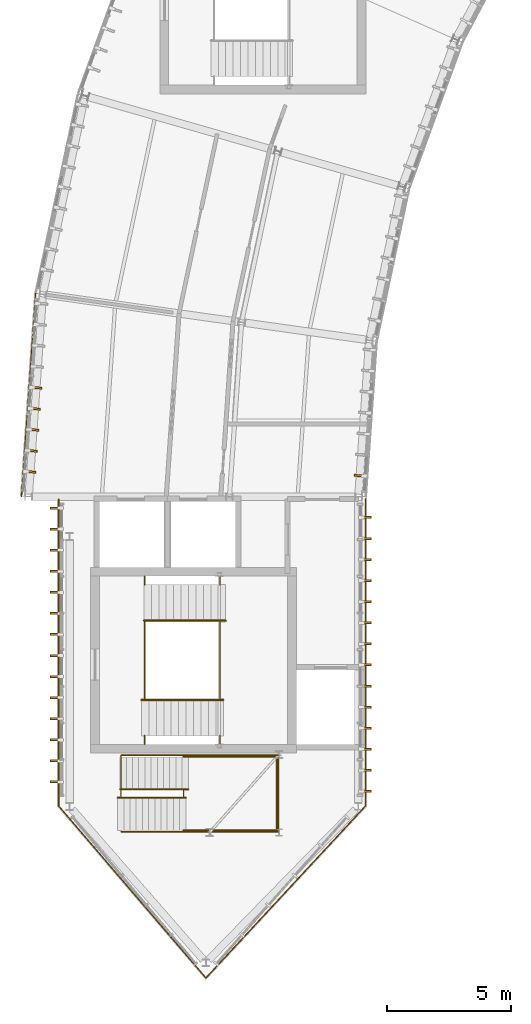
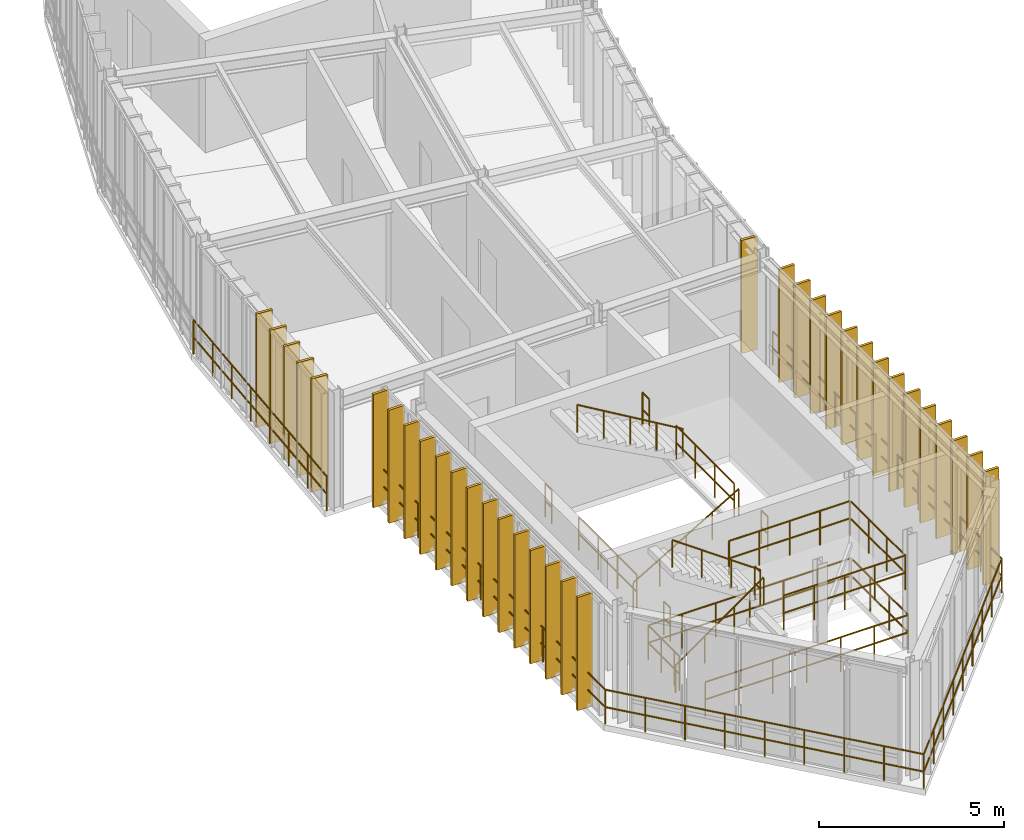
# One storey, part 22 of 25: 34 coverings, 17 railings.
"""IFC4 building model written with IfcOpenShell, lengths in metres."""

from ifc_helpers import new_model, si_unit, direction, frame, origin, origin_2d, place, context, subcontext, project, spatial, rectangle, circle, extrude, material, layer, layer_set, type_object, element, save


model = new_model("IFC4")

# Units and contexts
model_context = context("Model", 3, precision=1e-05, world=origin(), true_north=direction((0.0, 1.0)))
body_context = subcontext(model_context, "Body", "Model", "MODEL_VIEW")
ifc_project = project(units=[si_unit("LENGTHUNIT", "METRE"), si_unit("AREAUNIT", "SQUARE_METRE"), si_unit("VOLUMEUNIT", "CUBIC_METRE"), si_unit("PLANEANGLEUNIT", "RADIAN"), si_unit("MASSUNIT", "GRAM", prefix="KILO"), si_unit("THERMODYNAMICTEMPERATUREUNIT", "KELVIN"), si_unit("POWERUNIT", "WATT")], contexts=[model_context])

# Site, building, storey
site_placement = place(None, origin())
site = spatial("IfcSite", under=ifc_project, at=site_placement, CompositionType="ELEMENT")
building_placement = place(site_placement, origin())
building = spatial("IfcBuilding", under=site, at=building_placement, Name="Solvatero Civic Police Headquarters", CompositionType="ELEMENT")
storey_placement = place(building_placement, frame((0.0, 0.0, 25.5)))
storey = spatial("IfcBuildingStorey", under=building, at=storey_placement, Name="L06", CompositionType="ELEMENT", Elevation=25.5)

# Coverings
ifc_material_1 = material(Name="Anodized Bronze Aluminium", Category="aluminium")
ifc_layer = layer(ifc_material_1, 0.080078125)
ifc_layer_set = layer_set([ifc_layer], Name="Anodized Bronze Aluminium")
covering_type = type_object("IfcCoveringType", Name="COV-FIN-480", PredefinedType="CLADDING", material=ifc_layer_set)
for number, where, z_axis, x_axis, name in (
    (1, (35.6376953125, 30.39306640625, -0.02001953125), (0.0, 0.0, 1.0), (-0.069739062956, -0.997565267588, 0.0), "Vertical Brise-Soleil Fin 1334"),
    (2, (35.578369140625, 29.545166015625, -0.02001953125), (0.0, 0.0, 1.0), (-0.069739062956, -0.997565267588, 0.0), "Vertical Brise-Soleil Fin 1335"),
    (3, (35.51904296875, 28.697265625, -0.02001953125), (0.0, 0.0, 1.0), (-0.069739062956, -0.997565267588, 0.0), "Vertical Brise-Soleil Fin 1336"),
    (4, (35.459716796875, 27.849365234375, -0.02001953125), (0.0, 0.0, 1.0), (-0.069739062956, -0.997565267588, 0.0), "Vertical Brise-Soleil Fin 1337"),
    (5, (35.400390625, 27.00146484375, -0.02001953125), (0.0, 0.0, 1.0), (-0.069739062956, -0.997565267588, 0.0), "Vertical Brise-Soleil Fin 1338"),
    (6, (48.728515625, 26.843505859375, -0.02001953125), (0.0, 0.0, 1.0), (-0.069773884511, -0.997562832628, 0.0), "Vertical Brise-Soleil Fin 1345"),
    (7, (36.469970703125, 25.5400390625, -0.02001953125), (0.0, 0.0, 1.0), (0.0, -1.0, 0.0), "Vertical Brise-Soleil Fin 1346"),
    (8, (36.469970703125, 24.68994140625, -0.02001953125), (0.0, 0.0, 1.0), (0.0, -1.0, 0.0), "Vertical Brise-Soleil Fin 1347"),
    (9, (36.469970703125, 23.840087890625, -0.02001953125), (0.0, 0.0, 1.0), (0.0, -1.0, 0.0), "Vertical Brise-Soleil Fin 1348"),
    (10, (36.469970703125, 22.989990234375, -0.02001953125), (0.0, 0.0, 1.0), (0.0, -1.0, 0.0), "Vertical Brise-Soleil Fin 1349"),
    (11, (36.469970703125, 22.139892578125, -0.02001953125), (0.0, 0.0, 1.0), (0.0, -1.0, 0.0), "Vertical Brise-Soleil Fin 1350"),
    (12, (36.469970703125, 21.2900390625, -0.02001953125), (0.0, 0.0, 1.0), (0.0, -1.0, 0.0), "Vertical Brise-Soleil Fin 1351"),
    (13, (36.469970703125, 20.43994140625, -0.02001953125), (0.0, 0.0, 1.0), (0.0, -1.0, 0.0), "Vertical Brise-Soleil Fin 1352"),
    (14, (36.469970703125, 19.590087890625, -0.02001953125), (0.0, 0.0, 1.0), (0.0, -1.0, 0.0), "Vertical Brise-Soleil Fin 1353"),
    (15, (36.469970703125, 18.739990234375, -0.02001953125), (0.0, 0.0, 1.0), (0.0, -1.0, 0.0), "Vertical Brise-Soleil Fin 1354"),
    (16, (36.469970703125, 17.889892578125, -0.02001953125), (0.0, 0.0, 1.0), (0.0, -1.0, 0.0), "Vertical Brise-Soleil Fin 1355"),
    (17, (36.469970703125, 17.0400390625, -0.02001953125), (0.0, 0.0, 1.0), (0.0, -1.0, 0.0), "Vertical Brise-Soleil Fin 1356"),
    (18, (36.469970703125, 16.18994140625, -0.02001953125), (0.0, 0.0, 1.0), (0.0, -1.0, 0.0), "Vertical Brise-Soleil Fin 1357"),
    (19, (36.469970703125, 15.340087890625, -0.02001953125), (0.0, 0.0, 1.0), (0.0, -1.0, 0.0), "Vertical Brise-Soleil Fin 1358"),
    (20, (36.469970703125, 14.489990234375, -0.02001953125), (0.0, 0.0, 1.0), (0.0, -1.0, 0.0), "Vertical Brise-Soleil Fin 1359"),
    (21, (48.929931640625, 14.110107421875, -0.02001953125), (0.0, 0.0, 1.0), (0.0, 1.0, 0.0), "Vertical Brise-Soleil Fin 1360"),
    (22, (48.929931640625, 14.9599609375, -0.02001953125), (0.0, 0.0, 1.0), (0.0, 1.0, 0.0), "Vertical Brise-Soleil Fin 1361"),
    (23, (48.929931640625, 15.81005859375, -0.02001953125), (0.0, 0.0, 1.0), (0.0, 1.0, 0.0), "Vertical Brise-Soleil Fin 1362"),
    (24, (48.929931640625, 16.659912109375, -0.02001953125), (0.0, 0.0, 1.0), (0.0, 1.0, 0.0), "Vertical Brise-Soleil Fin 1363"),
    (25, (48.929931640625, 17.510009765625, -0.02001953125), (0.0, 0.0, 1.0), (0.0, 1.0, 0.0), "Vertical Brise-Soleil Fin 1364"),
    (26, (48.929931640625, 18.360107421875, -0.02001953125), (0.0, 0.0, 1.0), (0.0, 1.0, 0.0), "Vertical Brise-Soleil Fin 1365"),
    (27, (48.929931640625, 19.2099609375, -0.02001953125), (0.0, 0.0, 1.0), (0.0, 1.0, 0.0), "Vertical Brise-Soleil Fin 1366"),
    (28, (48.929931640625, 20.06005859375, -0.02001953125), (0.0, 0.0, 1.0), (0.0, 1.0, 0.0), "Vertical Brise-Soleil Fin 1367"),
    (29, (48.929931640625, 20.909912109375, -0.02001953125), (0.0, 0.0, 1.0), (0.0, 1.0, 0.0), "Vertical Brise-Soleil Fin 1368"),
    (30, (48.929931640625, 21.760009765625, -0.02001953125), (0.0, 0.0, 1.0), (0.0, 1.0, 0.0), "Vertical Brise-Soleil Fin 1369"),
    (31, (48.929931640625, 22.610107421875, -0.02001953125), (0.0, 0.0, 1.0), (0.0, 1.0, 0.0), "Vertical Brise-Soleil Fin 1370"),
    (32, (48.929931640625, 23.4599609375, -0.02001953125), (0.0, 0.0, 1.0), (0.0, 1.0, 0.0), "Vertical Brise-Soleil Fin 1371"),
    (33, (48.929931640625, 24.31005859375, -0.02001953125), (0.0, 0.0, 1.0), (0.0, 1.0, 0.0), "Vertical Brise-Soleil Fin 1372"),
    (34, (48.929931640625, 25.159912109375, -0.02001953125), (0.0, 0.0, 1.0), (0.0, 1.0, 0.0), "Vertical Brise-Soleil Fin 1373"),
):
    element("IfcCovering", number, at=place(storey_placement, frame(where, z_axis=z_axis, x_axis=x_axis)), inside=storey, type_object=covering_type, Name=name, PredefinedType="CLADDING", context=body_context, shape_type="SweptSolid", body=[
        extrude(rectangle(XDim=0.080078125, YDim=0.47998046875, at=origin_2d()), origin(), (0.0, 0.0, 1.0), 3.739990234375),
    ])

# Railings
ifc_material_2 = material(Name="Anodized Bronze and Laminated Glass", Category="glass")
railing_type_1 = type_object("IfcRailingType", Name="RL-BAL-115", PredefinedType="BALUSTRADE", material=ifc_material_2)
railing_1_placement = place(storey_placement, frame((39.080078125, 12.47998046875, 0.0)))
element("IfcRailing", 35, at=railing_1_placement, inside=storey, type_object=railing_type_1, Name="Prow Stair Well Balustrade L06 SE", PredefinedType="BALUSTRADE", context=body_context, shape_type="SweptSolid", body=[
    extrude(circle(Radius=0.02392578125, at=origin_2d()), frame((0.0, 0.0, 1.1259765625), z_axis=(1.0, 0.0, 0.0), x_axis=(0.0, 1.0, 0.0)), (0.0, 0.0, 1.0), 6.33984375),
    extrude(circle(Radius=0.02392578125, at=origin_2d()), frame((0.0, 0.0, 0.55078125), z_axis=(1.0, 0.0, 0.0), x_axis=(0.0, 1.0, 0.0)), (0.0, 0.0, 1.0), 6.33984375),
    extrude(circle(Radius=0.02392578125, at=origin_2d()), frame((6.33984375, 0.0, 1.1259765625), z_axis=(0.0, 1.0, 0.0), x_axis=(-1.0, 0.0, 0.0)), (0.0, 0.0, 1.0), 3.090087890625),
    extrude(circle(Radius=0.02392578125, at=origin_2d()), frame((6.33984375, 0.0, 0.55078125), z_axis=(0.0, 1.0, 0.0), x_axis=(-1.0, 0.0, 0.0)), (0.0, 0.0, 1.0), 3.090087890625),
    extrude(circle(Radius=0.02099609375, at=origin_2d()), origin(), (0.0, 0.0, 1.0), 1.101806640625),
    extrude(circle(Radius=0.02099609375, at=origin_2d()), frame((1.056640625, 0.0, 0.0)), (0.0, 0.0, 1.0), 1.101806640625),
    extrude(circle(Radius=0.02099609375, at=origin_2d()), frame((2.11328125, 0.0, 0.0)), (0.0, 0.0, 1.0), 1.101806640625),
    extrude(circle(Radius=0.02099609375, at=origin_2d()), frame((3.169921875, 0.0, 0.0)), (0.0, 0.0, 1.0), 1.101806640625),
    extrude(circle(Radius=0.02099609375, at=origin_2d()), frame((4.2265625, 0.0, 0.0)), (0.0, 0.0, 1.0), 1.101806640625),
    extrude(circle(Radius=0.02099609375, at=origin_2d()), frame((5.283203125, 0.0, 0.0)), (0.0, 0.0, 1.0), 1.101806640625),
    extrude(circle(Radius=0.02099609375, at=origin_2d()), frame((6.33984375, 0.0, 0.0)), (0.0, 0.0, 1.0), 1.101806640625),
    extrude(circle(Radius=0.02099609375, at=origin_2d()), frame((6.33984375, 1.030029296875, 0.0)), (0.0, 0.0, 1.0), 1.101806640625),
    extrude(circle(Radius=0.02099609375, at=origin_2d()), frame((6.33984375, 2.06005859375, 0.0)), (0.0, 0.0, 1.0), 1.101806640625),
    extrude(circle(Radius=0.02099609375, at=origin_2d()), frame((6.33984375, 3.090087890625, 0.0)), (0.0, 0.0, 1.0), 1.101806640625),
])
railing_2_placement = place(storey_placement, frame((45.419921875, 15.570068359375, 0.0)))
element("IfcRailing", 36, at=railing_2_placement, inside=storey, type_object=railing_type_1, Name="Prow Stair Well Balustrade L06 NW", PredefinedType="BALUSTRADE", context=body_context, shape_type="SweptSolid", body=[
    extrude(circle(Radius=0.02392578125, at=origin_2d()), frame((0.0, 0.0, 1.1259765625), z_axis=(-1.0, 0.0, 0.0), x_axis=(0.0, -1.0, 0.0)), (0.0, 0.0, 1.0), 6.33984375),
    extrude(circle(Radius=0.02392578125, at=origin_2d()), frame((0.0, 0.0, 0.55078125), z_axis=(-1.0, 0.0, 0.0), x_axis=(0.0, -1.0, 0.0)), (0.0, 0.0, 1.0), 6.33984375),
    extrude(circle(Radius=0.02392578125, at=origin_2d()), frame((-6.33984375, 0.0, 1.1259765625), z_axis=(0.0, -1.0, 0.0), x_axis=(1.0, 0.0, 0.0)), (0.0, 0.0, 1.0), 1.41015625),
    extrude(circle(Radius=0.02392578125, at=origin_2d()), frame((-6.33984375, 0.0, 0.55078125), z_axis=(0.0, -1.0, 0.0), x_axis=(1.0, 0.0, 0.0)), (0.0, 0.0, 1.0), 1.41015625),
    extrude(circle(Radius=0.02099609375, at=origin_2d()), origin(), (0.0, 0.0, 1.0), 1.101806640625),
    extrude(circle(Radius=0.02099609375, at=origin_2d()), frame((-1.056640625, 0.0, 0.0)), (0.0, 0.0, 1.0), 1.101806640625),
    extrude(circle(Radius=0.02099609375, at=origin_2d()), frame((-2.11328125, 0.0, 0.0)), (0.0, 0.0, 1.0), 1.101806640625),
    extrude(circle(Radius=0.02099609375, at=origin_2d()), frame((-3.169921875, 0.0, 0.0)), (0.0, 0.0, 1.0), 1.101806640625),
    extrude(circle(Radius=0.02099609375, at=origin_2d()), frame((-4.2265625, 0.0, 0.0)), (0.0, 0.0, 1.0), 1.101806640625),
    extrude(circle(Radius=0.02099609375, at=origin_2d()), frame((-5.283203125, 0.0, 0.0)), (0.0, 0.0, 1.0), 1.101806640625),
    extrude(circle(Radius=0.02099609375, at=origin_2d()), frame((-6.33984375, 0.0, 0.0)), (0.0, 0.0, 1.0), 1.101806640625),
    extrude(circle(Radius=0.02099609375, at=origin_2d()), frame((-6.33984375, -0.705078125, 0.0)), (0.0, 0.0, 1.0), 1.101806640625),
    extrude(circle(Radius=0.02099609375, at=origin_2d()), frame((-6.33984375, -1.41015625, 0.0)), (0.0, 0.0, 1.0), 1.101806640625),
])
railing_3_placement = place(storey_placement, frame((39.080078125, 13.8798828125, 0.0)))
element("IfcRailing", 37, at=railing_3_placement, inside=storey, type_object=railing_type_1, Name="Prow Stair Well West Slot L06", PredefinedType="BALUSTRADE", context=body_context, shape_type="SweptSolid", body=[
    extrude(circle(Radius=0.02392578125, at=origin_2d()), frame((0.0, 0.0, 1.1259765625), z_axis=(0.0, 1.0, 0.0), x_axis=(-1.0, 0.0, 0.0)), (0.0, 0.0, 1.0), 0.280029296875),
    extrude(circle(Radius=0.02392578125, at=origin_2d()), frame((0.0, 0.0, 0.55078125), z_axis=(0.0, 1.0, 0.0), x_axis=(-1.0, 0.0, 0.0)), (0.0, 0.0, 1.0), 0.280029296875),
    extrude(circle(Radius=0.02099609375, at=origin_2d()), origin(), (0.0, 0.0, 1.0), 1.101806640625),
    extrude(circle(Radius=0.02099609375, at=origin_2d()), frame((0.0, 0.280029296875, 0.0)), (0.0, 0.0, 1.0), 1.101806640625),
])
railing_4_placement = place(storey_placement, frame((41.570068359375, 12.5400390625, 1.949951171875)))
element("IfcRailing", 38, at=railing_4_placement, inside=storey, type_object=railing_type_1, Name="ST-PRW L06 Half-Landing Balustrade", PredefinedType="BALUSTRADE", context=body_context, shape_type="SweptSolid", body=[
    extrude(circle(Radius=0.02392578125, at=origin_2d()), frame((0.0, 0.0, 1.1259765625), z_axis=(1.0, 0.0, 0.0), x_axis=(0.0, 1.0, 0.0)), (0.0, 0.0, 1.0), 3.7900390625),
    extrude(circle(Radius=0.02392578125, at=origin_2d()), frame((0.0, 0.0, 0.55078125), z_axis=(1.0, 0.0, 0.0), x_axis=(0.0, 1.0, 0.0)), (0.0, 0.0, 1.0), 3.7900390625),
    extrude(circle(Radius=0.02392578125, at=origin_2d()), frame((3.7900390625, 0.0, 1.1259765625), z_axis=(0.0, 1.0, 0.0), x_axis=(-1.0, 0.0, 0.0)), (0.0, 0.0, 1.0), 2.969970703125),
    extrude(circle(Radius=0.02392578125, at=origin_2d()), frame((3.7900390625, 0.0, 0.55078125), z_axis=(0.0, 1.0, 0.0), x_axis=(-1.0, 0.0, 0.0)), (0.0, 0.0, 1.0), 2.969970703125),
    extrude(circle(Radius=0.02392578125, at=origin_2d()), frame((3.7900390625, 2.969970703125, 1.1259765625), z_axis=(-1.0, 0.0, 0.0), x_axis=(0.0, -1.0, 0.0)), (0.0, 0.0, 1.0), 3.7900390625),
    extrude(circle(Radius=0.02392578125, at=origin_2d()), frame((3.7900390625, 2.969970703125, 0.55078125), z_axis=(-1.0, 0.0, 0.0), x_axis=(0.0, -1.0, 0.0)), (0.0, 0.0, 1.0), 3.7900390625),
    extrude(circle(Radius=0.02099609375, at=origin_2d()), origin(), (0.0, 0.0, 1.0), 1.101806640625),
    extrude(circle(Radius=0.02099609375, at=origin_2d()), frame((0.947509765625, 0.0, 0.0)), (0.0, 0.0, 1.0), 1.101806640625),
    extrude(circle(Radius=0.02099609375, at=origin_2d()), frame((1.89501953125, 0.0, 0.0)), (0.0, 0.0, 1.0), 1.101806640625),
    extrude(circle(Radius=0.02099609375, at=origin_2d()), frame((2.842529296875, 0.0, 0.0)), (0.0, 0.0, 1.0), 1.101806640625),
    extrude(circle(Radius=0.02099609375, at=origin_2d()), frame((3.7900390625, 0.0, 0.0)), (0.0, 0.0, 1.0), 1.101806640625),
    extrude(circle(Radius=0.02099609375, at=origin_2d()), frame((3.7900390625, 0.989990234375, 0.0)), (0.0, 0.0, 1.0), 1.101806640625),
    extrude(circle(Radius=0.02099609375, at=origin_2d()), frame((3.7900390625, 1.97998046875, 0.0)), (0.0, 0.0, 1.0), 1.101806640625),
    extrude(circle(Radius=0.02099609375, at=origin_2d()), frame((3.7900390625, 2.969970703125, 0.0)), (0.0, 0.0, 1.0), 1.101806640625),
    extrude(circle(Radius=0.02099609375, at=origin_2d()), frame((2.842529296875, 2.969970703125, 0.0)), (0.0, 0.0, 1.0), 1.101806640625),
    extrude(circle(Radius=0.02099609375, at=origin_2d()), frame((1.89501953125, 2.969970703125, 0.0)), (0.0, 0.0, 1.0), 1.101806640625),
    extrude(circle(Radius=0.02099609375, at=origin_2d()), frame((0.947509765625, 2.969970703125, 0.0)), (0.0, 0.0, 1.0), 1.101806640625),
    extrude(circle(Radius=0.02099609375, at=origin_2d()), frame((0.0, 2.969970703125, 0.0)), (0.0, 0.0, 1.0), 1.101806640625),
])
railing_5_placement = place(storey_placement, frame((36.56005859375, 25.89990234375, 0.0)))
element("IfcRailing", 39, at=railing_5_placement, inside=storey, type_object=railing_type_1, Name="Glazed Facade Sill Balustrade RL-L06-PROW-PERIM", PredefinedType="BALUSTRADE", context=body_context, shape_type="SweptSolid", body=[
    extrude(circle(Radius=0.02392578125, at=origin_2d()), frame((0.0, 0.0, 1.1259765625), z_axis=(0.0, -1.0, 0.0), x_axis=(1.0, 0.0, 0.0)), (0.0, 0.0, 1.0), 12.3798828125),
    extrude(circle(Radius=0.02392578125, at=origin_2d()), frame((0.0, 0.0, 0.55078125), z_axis=(0.0, -1.0, 0.0), x_axis=(1.0, 0.0, 0.0)), (0.0, 0.0, 1.0), 12.3798828125),
    extrude(circle(Radius=0.02392578125, at=origin_2d()), frame((0.0, -12.3798828125, 1.1259765625), z_axis=(0.65024976551, -0.759720502852, 0.0), x_axis=(0.759720502852, 0.65024976551, 0.0)), (0.0, 0.0, 1.0), 9.134765625),
    extrude(circle(Radius=0.02392578125, at=origin_2d()), frame((0.0, -12.3798828125, 0.55078125), z_axis=(0.65024976551, -0.759720502852, 0.0), x_axis=(0.759720502852, 0.65024976551, 0.0)), (0.0, 0.0, 1.0), 9.134765625),
    extrude(circle(Radius=0.02392578125, at=origin_2d()), frame((5.93994140625, -19.31982421875, 1.1259765625), z_axis=(0.680207746239, 0.733019387163, 0.0), x_axis=(-0.733019387163, 0.680207746239, 0.0)), (0.0, 0.0, 1.0), 9.467529296875),
    extrude(circle(Radius=0.02392578125, at=origin_2d()), frame((5.93994140625, -19.31982421875, 0.55078125), z_axis=(0.680207746239, 0.733019387163, 0.0), x_axis=(-0.733019387163, 0.680207746239, 0.0)), (0.0, 0.0, 1.0), 9.467529296875),
    extrude(circle(Radius=0.02392578125, at=origin_2d()), frame((12.3798828125, -12.3798828125, 1.1259765625), z_axis=(0.0, 1.0, 0.0), x_axis=(-1.0, 0.0, 0.0)), (0.0, 0.0, 1.0), 12.3798828125),
    extrude(circle(Radius=0.02392578125, at=origin_2d()), frame((12.3798828125, -12.3798828125, 0.55078125), z_axis=(0.0, 1.0, 0.0), x_axis=(-1.0, 0.0, 0.0)), (0.0, 0.0, 1.0), 12.3798828125),
    extrude(circle(Radius=0.02099609375, at=origin_2d()), origin(), (0.0, 0.0, 1.0), 1.101806640625),
    extrude(circle(Radius=0.02099609375, at=origin_2d()), frame((0.0, -1.12548828125, 0.0)), (0.0, 0.0, 1.0), 1.101806640625),
    extrude(circle(Radius=0.02099609375, at=origin_2d()), frame((0.0, -2.2509765625, 0.0)), (0.0, 0.0, 1.0), 1.101806640625),
    extrude(circle(Radius=0.02099609375, at=origin_2d()), frame((0.0, -3.376220703125, 0.0)), (0.0, 0.0, 1.0), 1.101806640625),
    extrude(circle(Radius=0.02099609375, at=origin_2d()), frame((0.0, -4.501708984375, 0.0)), (0.0, 0.0, 1.0), 1.101806640625),
    extrude(circle(Radius=0.02099609375, at=origin_2d()), frame((0.0, -5.627197265625, 0.0)), (0.0, 0.0, 1.0), 1.101806640625),
    extrude(circle(Radius=0.02099609375, at=origin_2d()), frame((0.0, -6.752685546875, 0.0)), (0.0, 0.0, 1.0), 1.101806640625),
    extrude(circle(Radius=0.02099609375, at=origin_2d()), frame((0.0, -7.878173828125, 0.0)), (0.0, 0.0, 1.0), 1.101806640625),
    extrude(circle(Radius=0.02099609375, at=origin_2d()), frame((0.0, -9.003662109375, 0.0)), (0.0, 0.0, 1.0), 1.101806640625),
    extrude(circle(Radius=0.02099609375, at=origin_2d()), frame((0.0, -10.12890625, 0.0)), (0.0, 0.0, 1.0), 1.101806640625),
    extrude(circle(Radius=0.02099609375, at=origin_2d()), frame((0.0, -11.25439453125, 0.0)), (0.0, 0.0, 1.0), 1.101806640625),
    extrude(circle(Radius=0.02099609375, at=origin_2d()), frame((0.0, -12.3798828125, 0.0)), (0.0, 0.0, 1.0), 1.101806640625),
    extrude(circle(Radius=0.02099609375, at=origin_2d()), frame((0.742431640625, -13.247314453125, 0.0)), (0.0, 0.0, 1.0), 1.101806640625),
    extrude(circle(Radius=0.02099609375, at=origin_2d()), frame((1.48486328125, -14.11474609375, 0.0)), (0.0, 0.0, 1.0), 1.101806640625),
    extrude(circle(Radius=0.02099609375, at=origin_2d()), frame((2.2275390625, -14.982421875, 0.0)), (0.0, 0.0, 1.0), 1.101806640625),
    extrude(circle(Radius=0.02099609375, at=origin_2d()), frame((2.969970703125, -15.849853515625, 0.0)), (0.0, 0.0, 1.0), 1.101806640625),
    extrude(circle(Radius=0.02099609375, at=origin_2d()), frame((3.71240234375, -16.71728515625, 0.0)), (0.0, 0.0, 1.0), 1.101806640625),
    extrude(circle(Radius=0.02099609375, at=origin_2d()), frame((4.455078125, -17.5849609375, 0.0)), (0.0, 0.0, 1.0), 1.101806640625),
    extrude(circle(Radius=0.02099609375, at=origin_2d()), frame((5.197509765625, -18.452392578125, 0.0)), (0.0, 0.0, 1.0), 1.101806640625),
    extrude(circle(Radius=0.02099609375, at=origin_2d()), frame((5.93994140625, -19.31982421875, 0.0)), (0.0, 0.0, 1.0), 1.101806640625),
    extrude(circle(Radius=0.02099609375, at=origin_2d()), frame((6.744873046875, -18.452392578125, 0.0)), (0.0, 0.0, 1.0), 1.101806640625),
    extrude(circle(Radius=0.02099609375, at=origin_2d()), frame((7.5498046875, -17.5849609375, 0.0)), (0.0, 0.0, 1.0), 1.101806640625),
    extrude(circle(Radius=0.02099609375, at=origin_2d()), frame((8.35498046875, -16.71728515625, 0.0)), (0.0, 0.0, 1.0), 1.101806640625),
    extrude(circle(Radius=0.02099609375, at=origin_2d()), frame((9.159912109375, -15.849853515625, 0.0)), (0.0, 0.0, 1.0), 1.101806640625),
    extrude(circle(Radius=0.02099609375, at=origin_2d()), frame((9.96484375, -14.982421875, 0.0)), (0.0, 0.0, 1.0), 1.101806640625),
    extrude(circle(Radius=0.02099609375, at=origin_2d()), frame((10.77001953125, -14.11474609375, 0.0)), (0.0, 0.0, 1.0), 1.101806640625),
    extrude(circle(Radius=0.02099609375, at=origin_2d()), frame((11.574951171875, -13.247314453125, 0.0)), (0.0, 0.0, 1.0), 1.101806640625),
    extrude(circle(Radius=0.02099609375, at=origin_2d()), frame((12.3798828125, -12.3798828125, 0.0)), (0.0, 0.0, 1.0), 1.101806640625),
    extrude(circle(Radius=0.02099609375, at=origin_2d()), frame((12.3798828125, -11.25439453125, 0.0)), (0.0, 0.0, 1.0), 1.101806640625),
    extrude(circle(Radius=0.02099609375, at=origin_2d()), frame((12.3798828125, -10.12890625, 0.0)), (0.0, 0.0, 1.0), 1.101806640625),
    extrude(circle(Radius=0.02099609375, at=origin_2d()), frame((12.3798828125, -9.003662109375, 0.0)), (0.0, 0.0, 1.0), 1.101806640625),
    extrude(circle(Radius=0.02099609375, at=origin_2d()), frame((12.3798828125, -7.878173828125, 0.0)), (0.0, 0.0, 1.0), 1.101806640625),
    extrude(circle(Radius=0.02099609375, at=origin_2d()), frame((12.3798828125, -6.752685546875, 0.0)), (0.0, 0.0, 1.0), 1.101806640625),
    extrude(circle(Radius=0.02099609375, at=origin_2d()), frame((12.3798828125, -5.627197265625, 0.0)), (0.0, 0.0, 1.0), 1.101806640625),
    extrude(circle(Radius=0.02099609375, at=origin_2d()), frame((12.3798828125, -4.501708984375, 0.0)), (0.0, 0.0, 1.0), 1.101806640625),
    extrude(circle(Radius=0.02099609375, at=origin_2d()), frame((12.3798828125, -3.376220703125, 0.0)), (0.0, 0.0, 1.0), 1.101806640625),
    extrude(circle(Radius=0.02099609375, at=origin_2d()), frame((12.3798828125, -2.2509765625, 0.0)), (0.0, 0.0, 1.0), 1.101806640625),
    extrude(circle(Radius=0.02099609375, at=origin_2d()), frame((12.3798828125, -1.12548828125, 0.0)), (0.0, 0.0, 1.0), 1.101806640625),
    extrude(circle(Radius=0.02099609375, at=origin_2d()), frame((12.3798828125, 0.0, 0.0)), (0.0, 0.0, 1.0), 1.101806640625),
])
railing_6_placement = place(storey_placement, frame((35.633544921875, 34.202880859375, 0.0)))
element("IfcRailing", 40, at=railing_6_placement, inside=storey, type_object=railing_type_1, Name="Glazed Facade Sill Balustrade RL-L06-ARCOUT-B12", PredefinedType="BALUSTRADE", context=body_context, shape_type="SweptSolid", body=[
    extrude(circle(Radius=0.02392578125, at=origin_2d()), frame((0.0, 0.0, 1.1259765625), z_axis=(-0.069742558988, -0.997565023177, 0.0), x_axis=(0.997565023177, -0.069742558988, 0.0)), (0.0, 0.0, 1.0), 8.222900390625),
    extrude(circle(Radius=0.02392578125, at=origin_2d()), frame((0.0, 0.0, 0.55078125), z_axis=(-0.069742558988, -0.997565023177, 0.0), x_axis=(0.997565023177, -0.069742558988, 0.0)), (0.0, 0.0, 1.0), 8.222900390625),
    extrude(circle(Radius=0.02099609375, at=origin_2d()), origin(), (0.0, 0.0, 1.0), 1.101806640625),
    extrude(circle(Radius=0.02099609375, at=origin_2d()), frame((-0.08203125, -1.171875, 0.0)), (0.0, 0.0, 1.0), 1.101806640625),
    extrude(circle(Radius=0.02099609375, at=origin_2d()), frame((-0.163818359375, -2.34375, 0.0)), (0.0, 0.0, 1.0), 1.101806640625),
    extrude(circle(Radius=0.02099609375, at=origin_2d()), frame((-0.245849609375, -3.515625, 0.0)), (0.0, 0.0, 1.0), 1.101806640625),
    extrude(circle(Radius=0.02099609375, at=origin_2d()), frame((-0.32763671875, -4.687255859375, 0.0)), (0.0, 0.0, 1.0), 1.101806640625),
    extrude(circle(Radius=0.02099609375, at=origin_2d()), frame((-0.40966796875, -5.859130859375, 0.0)), (0.0, 0.0, 1.0), 1.101806640625),
    extrude(circle(Radius=0.02099609375, at=origin_2d()), frame((-0.491455078125, -7.031005859375, 0.0)), (0.0, 0.0, 1.0), 1.101806640625),
    extrude(circle(Radius=0.02099609375, at=origin_2d()), frame((-0.573486328125, -8.202880859375, 0.0)), (0.0, 0.0, 1.0), 1.101806640625),
])
ifc_material_3 = material(Name="Painted Galvanized Steel", Category="steel")
railing_type_2 = type_object("IfcRailingType", Name="RL-GRD-110", PredefinedType="GUARDRAIL", material=ifc_material_3)
railing_7_placement = place(storey_placement, frame((40.030029296875, 17.830078125, 0.0)))
element("IfcRailing", 41, at=railing_7_placement, inside=storey, type_object=railing_type_2, Name="ST-C1 L06 Floor Well Guardrail", PredefinedType="GUARDRAIL", context=body_context, shape_type="SweptSolid", body=[
    extrude(circle(Radius=0.02392578125, at=origin_2d()), frame((0.0, 0.0, 1.09619140625), z_axis=(0.0, 1.0, 0.0), x_axis=(-1.0, 0.0, 0.0)), (0.0, 0.0, 1.0), 3.139892578125),
    extrude(circle(Radius=0.02392578125, at=origin_2d()), frame((0.0, 0.0, 0.5361328125), z_axis=(0.0, 1.0, 0.0), x_axis=(-1.0, 0.0, 0.0)), (0.0, 0.0, 1.0), 3.139892578125),
    extrude(circle(Radius=0.02099609375, at=origin_2d()), origin(), (0.0, 0.0, 1.0), 1.072021484375),
    extrude(circle(Radius=0.02099609375, at=origin_2d()), frame((0.0, 1.046630859375, 0.0)), (0.0, 0.0, 1.0), 1.072021484375),
    extrude(circle(Radius=0.02099609375, at=origin_2d()), frame((0.0, 2.09326171875, 0.0)), (0.0, 0.0, 1.0), 1.072021484375),
    extrude(circle(Radius=0.02099609375, at=origin_2d()), frame((0.0, 3.139892578125, 0.0)), (0.0, 0.0, 1.0), 1.072021484375),
])
for number, where, name in (
    (42, (40.030029296875, 16.010009765625, 0.0), "ST-C1 L06 Floor Well South Slot Guardrail"),
    (43, (40.030029296875, 22.429931640625, 0.0), "ST-C1 L06 Floor Well North Slot Guardrail"),
):
    element("IfcRailing", number, at=place(storey_placement, frame(where)), inside=storey, type_object=railing_type_2, Name=name, PredefinedType="GUARDRAIL", context=body_context, shape_type="SweptSolid", body=[
        extrude(circle(Radius=0.02392578125, at=origin_2d()), frame((0.0, 0.0, 1.09619140625), z_axis=(0.0, 1.0, 0.0), x_axis=(-1.0, 0.0, 0.0)), (0.0, 0.0, 1.0), 0.360107421875),
        extrude(circle(Radius=0.02392578125, at=origin_2d()), frame((0.0, 0.0, 0.5361328125), z_axis=(0.0, 1.0, 0.0), x_axis=(-1.0, 0.0, 0.0)), (0.0, 0.0, 1.0), 0.360107421875),
        extrude(circle(Radius=0.02099609375, at=origin_2d()), origin(), (0.0, 0.0, 1.0), 1.072021484375),
        extrude(circle(Radius=0.02099609375, at=origin_2d()), frame((0.0, 0.360107421875, 0.0)), (0.0, 0.0, 1.0), 1.072021484375),
    ])
railing_8_placement = place(storey_placement, frame((43.070068359375, 17.830078125, 1.949951171875)))
element("IfcRailing", 44, at=railing_8_placement, inside=storey, type_object=railing_type_2, Name="ST-C1 L06 Half-Landing Well Guardrail", PredefinedType="GUARDRAIL", context=body_context, shape_type="SweptSolid", body=[
    extrude(circle(Radius=0.02392578125, at=origin_2d()), frame((0.0, 0.0, 1.09619140625), z_axis=(0.0, 1.0, 0.0), x_axis=(-1.0, 0.0, 0.0)), (0.0, 0.0, 1.0), 3.139892578125),
    extrude(circle(Radius=0.02392578125, at=origin_2d()), frame((0.0, 0.0, 0.5361328125), z_axis=(0.0, 1.0, 0.0), x_axis=(-1.0, 0.0, 0.0)), (0.0, 0.0, 1.0), 3.139892578125),
    extrude(circle(Radius=0.02099609375, at=origin_2d()), origin(), (0.0, 0.0, 1.0), 1.072021484375),
    extrude(circle(Radius=0.02099609375, at=origin_2d()), frame((0.0, 1.046630859375, 0.0)), (0.0, 0.0, 1.0), 1.072021484375),
    extrude(circle(Radius=0.02099609375, at=origin_2d()), frame((0.0, 2.09326171875, 0.0)), (0.0, 0.0, 1.0), 1.072021484375),
    extrude(circle(Radius=0.02099609375, at=origin_2d()), frame((0.0, 3.139892578125, 0.0)), (0.0, 0.0, 1.0), 1.072021484375),
])
for number, where, name in (
    (45, (43.070068359375, 16.010009765625, 1.949951171875), "ST-C1 L06 Half-Landing South Slot Guardrail"),
    (46, (43.070068359375, 22.429931640625, 1.949951171875), "ST-C1 L06 Half-Landing North Slot Guardrail"),
):
    element("IfcRailing", number, at=place(storey_placement, frame(where)), inside=storey, type_object=railing_type_2, Name=name, PredefinedType="GUARDRAIL", context=body_context, shape_type="SweptSolid", body=[
        extrude(circle(Radius=0.02392578125, at=origin_2d()), frame((0.0, 0.0, 1.09619140625), z_axis=(0.0, 1.0, 0.0), x_axis=(-1.0, 0.0, 0.0)), (0.0, 0.0, 1.0), 0.360107421875),
        extrude(circle(Radius=0.02392578125, at=origin_2d()), frame((0.0, 0.0, 0.5361328125), z_axis=(0.0, 1.0, 0.0), x_axis=(-1.0, 0.0, 0.0)), (0.0, 0.0, 1.0), 0.360107421875),
        extrude(circle(Radius=0.02099609375, at=origin_2d()), origin(), (0.0, 0.0, 1.0), 1.072021484375),
        extrude(circle(Radius=0.02099609375, at=origin_2d()), frame((0.0, 0.360107421875, 0.0)), (0.0, 0.0, 1.0), 1.072021484375),
    ])
railing_9_placement = place(storey_placement, frame((41.60009765625, 13.8798828125, 1.949951171875)))
element("IfcRailing", 47, at=railing_9_placement, inside=storey, type_object=railing_type_2, Name="ST-PRW L06 Half-Landing Slot Guardrail", PredefinedType="GUARDRAIL", context=body_context, shape_type="SweptSolid", body=[
    extrude(circle(Radius=0.02392578125, at=origin_2d()), frame((0.0, 0.0, 1.09619140625), z_axis=(0.0, 1.0, 0.0), x_axis=(-1.0, 0.0, 0.0)), (0.0, 0.0, 1.0), 0.280029296875),
    extrude(circle(Radius=0.02392578125, at=origin_2d()), frame((0.0, 0.0, 0.5361328125), z_axis=(0.0, 1.0, 0.0), x_axis=(-1.0, 0.0, 0.0)), (0.0, 0.0, 1.0), 0.280029296875),
    extrude(circle(Radius=0.02099609375, at=origin_2d()), origin(), (0.0, 0.0, 1.0), 1.072021484375),
    extrude(circle(Radius=0.02099609375, at=origin_2d()), frame((0.0, 0.280029296875, 0.0)), (0.0, 0.0, 1.0), 1.072021484375),
])
ifc_material_4 = material(Name="Brushed Stainless Steel", Category="steel")
railing_type_3 = type_object("IfcRailingType", Name="RL-HND-092", PredefinedType="HANDRAIL", material=ifc_material_4)
railing_10_placement = place(storey_placement, frame((39.89990234375, 17.800048828125, 0.0)))
element("IfcRailing", 48, at=railing_10_placement, inside=storey, type_object=railing_type_3, Name="ST-C1 L06 Flight 1 Handrail", PredefinedType="HANDRAIL", context=body_context, shape_type="SweptSolid", body=[
    extrude(circle(Radius=0.02392578125, at=origin_2d()), frame((0.0, 0.0, 0.89599609375), z_axis=(0.860935404107, 0.0, 0.508714291086), x_axis=(0.0, 1.0, 0.0)), (0.0, 0.0, 1.0), 3.8330078125),
    extrude(circle(Radius=0.02099609375, at=origin_2d()), origin(), (0.0, 0.0, 1.0), 0.871826171875),
    extrude(circle(Radius=0.02099609375, at=origin_2d()), frame((0.824951171875, 0.0, 0.487548828125)), (0.0, 0.0, 1.0), 0.871826171875),
    extrude(circle(Radius=0.02099609375, at=origin_2d()), frame((1.64990234375, 0.0, 0.97509765625)), (0.0, 0.0, 1.0), 0.871826171875),
    extrude(circle(Radius=0.02099609375, at=origin_2d()), frame((2.47509765625, 0.0, 1.46240234375)), (0.0, 0.0, 1.0), 0.871826171875),
    extrude(circle(Radius=0.02099609375, at=origin_2d()), frame((3.300048828125, 0.0, 1.949951171875)), (0.0, 0.0, 1.0), 0.871826171875),
])
railing_11_placement = place(storey_placement, frame((43.300048828125, 21.0, 1.949951171875)))
element("IfcRailing", 49, at=railing_11_placement, inside=storey, type_object=railing_type_3, Name="ST-C1 L06 Flight 2 Handrail", PredefinedType="HANDRAIL", context=body_context, shape_type="SweptSolid", body=[
    extrude(circle(Radius=0.02392578125, at=origin_2d()), frame((0.0, 0.0, 0.89599609375), z_axis=(-0.860935404107, 0.0, 0.508714291086), x_axis=(0.0, -1.0, 0.0)), (0.0, 0.0, 1.0), 3.8330078125),
    extrude(circle(Radius=0.02099609375, at=origin_2d()), origin(), (0.0, 0.0, 1.0), 0.871826171875),
    extrude(circle(Radius=0.02099609375, at=origin_2d()), frame((-0.824951171875, 0.0, 0.487548828125)), (0.0, 0.0, 1.0), 0.871826171875),
    extrude(circle(Radius=0.02099609375, at=origin_2d()), frame((-1.64990234375, 0.0, 0.97509765625)), (0.0, 0.0, 1.0), 0.871826171875),
    extrude(circle(Radius=0.02099609375, at=origin_2d()), frame((-2.47509765625, 0.0, 1.46240234375)), (0.0, 0.0, 1.0), 0.871826171875),
    extrude(circle(Radius=0.02099609375, at=origin_2d()), frame((-3.300048828125, 0.0, 1.949951171875)), (0.0, 0.0, 1.0), 0.871826171875),
])
railing_12_placement = place(storey_placement, frame((38.93994140625, 13.85009765625, 0.0)))
element("IfcRailing", 50, at=railing_12_placement, inside=storey, type_object=railing_type_3, Name="ST-PRW L06 Flight 1 Handrail", PredefinedType="HANDRAIL", context=body_context, shape_type="SweptSolid", body=[
    extrude(circle(Radius=0.02392578125, at=origin_2d()), frame((0.0, 0.0, 0.89599609375), z_axis=(0.815739725205, 0.0, 0.578419139312), x_axis=(0.0, 1.0, 0.0)), (0.0, 0.0, 1.0), 3.37109375),
    extrude(circle(Radius=0.02099609375, at=origin_2d()), origin(), (0.0, 0.0, 1.0), 0.871826171875),
    extrude(circle(Radius=0.02099609375, at=origin_2d()), frame((0.916748046875, 0.0, 0.64990234375)), (0.0, 0.0, 1.0), 0.871826171875),
    extrude(circle(Radius=0.02099609375, at=origin_2d()), frame((1.833251953125, 0.0, 1.300048828125)), (0.0, 0.0, 1.0), 0.871826171875),
    extrude(circle(Radius=0.02099609375, at=origin_2d()), frame((2.75, 0.0, 1.949951171875)), (0.0, 0.0, 1.0), 0.871826171875),
])
railing_13_placement = place(storey_placement, frame((41.7900390625, 14.18994140625, 1.949951171875)))
element("IfcRailing", 51, at=railing_13_placement, inside=storey, type_object=railing_type_3, Name="ST-PRW L06 Flight 2 Handrail", PredefinedType="HANDRAIL", context=body_context, shape_type="SweptSolid", body=[
    extrude(circle(Radius=0.02392578125, at=origin_2d()), frame((0.0, 0.0, 0.89599609375), z_axis=(-0.815739725205, 0.0, 0.578419139312), x_axis=(0.0, -1.0, 0.0)), (0.0, 0.0, 1.0), 3.37109375),
    extrude(circle(Radius=0.02099609375, at=origin_2d()), origin(), (0.0, 0.0, 1.0), 0.871826171875),
    extrude(circle(Radius=0.02099609375, at=origin_2d()), frame((-0.916748046875, 0.0, 0.64990234375)), (0.0, 0.0, 1.0), 0.871826171875),
    extrude(circle(Radius=0.02099609375, at=origin_2d()), frame((-1.833251953125, 0.0, 1.300048828125)), (0.0, 0.0, 1.0), 0.871826171875),
    extrude(circle(Radius=0.02099609375, at=origin_2d()), frame((-2.75, 0.0, 1.949951171875)), (0.0, 0.0, 1.0), 0.871826171875),
])

save(model, "model.ifc")
